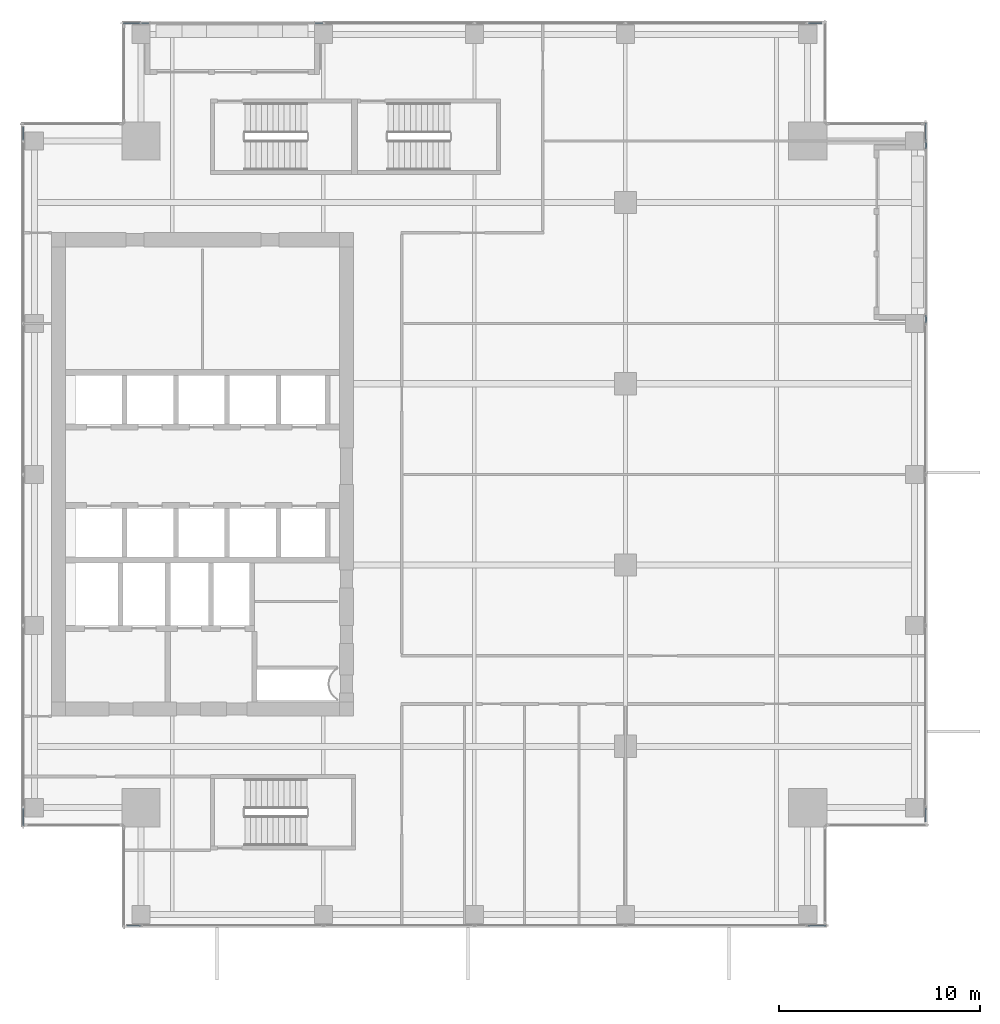
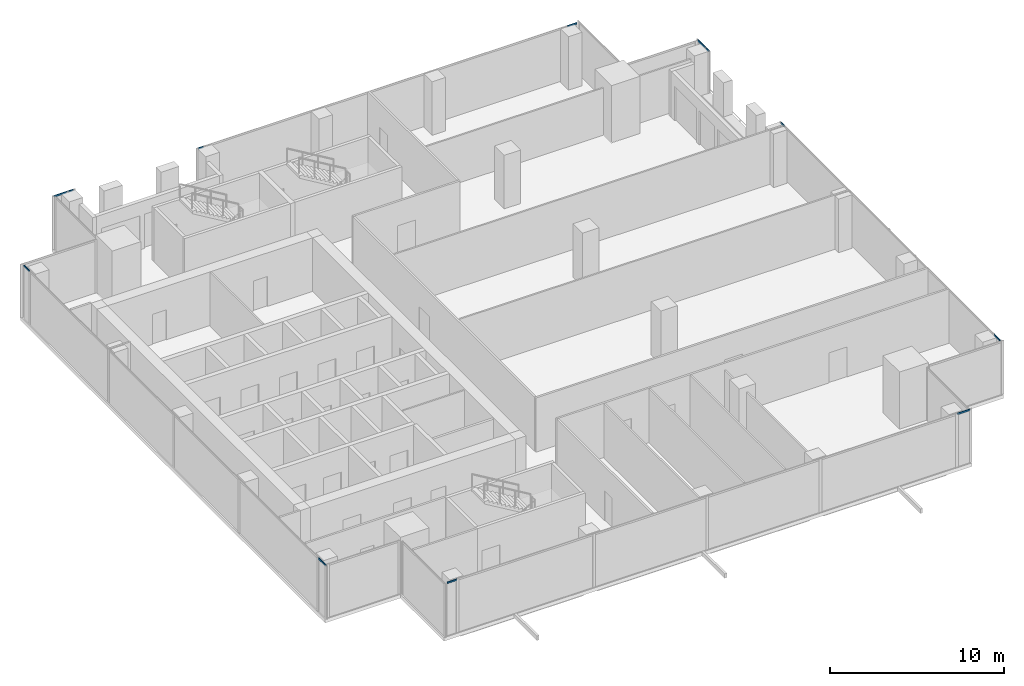
# One storey, part 23 of 34: 12 members, 6 elements without a shape of their own.
"""IFC4 building model written with IfcOpenShell, lengths in metres."""

from ifc_helpers import new_model, si_unit, direction, frame, origin, origin_2d, place, context, subcontext, project, spatial, hollow_rectangle, extrude, source, transform, mapped, material, material_profile, profile_set, type_object, element, aggregate, save


model = new_model("IFC4")

# Units and contexts
model_context = context("Model", 3, precision=1e-05, world=origin(), true_north=direction((0.0, 1.0)))
body_context = subcontext(model_context, "Body", "Model", "MODEL_VIEW")
ifc_project = project(units=[si_unit("LENGTHUNIT", "METRE"), si_unit("AREAUNIT", "SQUARE_METRE"), si_unit("VOLUMEUNIT", "CUBIC_METRE"), si_unit("PLANEANGLEUNIT", "RADIAN"), si_unit("MASSUNIT", "GRAM", prefix="KILO")], contexts=[model_context])

# Site, building, storey
site_placement = place(None, origin())
site = spatial("IfcSite", under=ifc_project, at=site_placement, CompositionType="ELEMENT")
building_placement = place(site_placement, origin())
building = spatial("IfcBuilding", under=site, at=building_placement, Name="Khomas Fold Tower", CompositionType="ELEMENT")
storey_placement = place(building_placement, frame((0.0, 0.0, 254.199951171875)))
storey = spatial("IfcBuildingStorey", under=building, at=storey_placement, Name="L57", CompositionType="ELEMENT", Elevation=254.199951171875)

# Curtain wall, member
ifc_material_1 = material(Name="Aluminium framed double glazing", Category="aluminium")
curtain_wall_type = type_object("IfcCurtainWallType", Name="SK-Unitised clear-glass wall, office floors CW2", PredefinedType="NOTDEFINED", material=ifc_material_1)
curtain_wall_1_placement = place(storey_placement, origin())
curtain_wall_1 = element("IfcCurtainWall", 1, at=curtain_wall_1_placement, inside=storey, type_object=curtain_wall_type, Name="CW2 run L57 00-0", PredefinedType="NOTDEFINED")
ifc_material_2 = material(Name="Aluminium", Category="aluminium")
ifc_material_profile = material_profile(ifc_material_2, hollow_rectangle(XDim=0.050048828125, YDim=0.110107421875, WallThickness=0.00390625, at=origin_2d()), Name="SK-Unitised clear-glass wall, office floors transom CW2-T")
ifc_profile_set = profile_set([ifc_material_profile], Name="Aluminium")
member_type = type_object("IfcMemberType", Name="SK-Unitised clear-glass wall, office floors transom CW2-T", PredefinedType="USERDEFINED", material=ifc_profile_set)
shared_shape_1 = source(origin(), body_context, "Body", "SweptSolid", [
    extrude(hollow_rectangle(XDim=0.050048828125, YDim=0.110107421875, WallThickness=0.00390625, at=origin_2d()), origin(), (0.0, 0.0, 1.0), 0.659912109375),
])
member_1_placement = place(storey_placement, frame((9.760009765625, 4.60009765625, 3.695068359375), z_axis=(1.0, 0.0, 0.0), x_axis=(0.0, 1.0, 0.0)))
member_1 = element("IfcMember", 2, at=member_1_placement, type_object=member_type, Name="CW2 transom 1", ObjectType="TRANSOM", PredefinedType="USERDEFINED", context=body_context, shape_type="MappedRepresentation", body=[
    mapped(shared_shape_1, transform((0.0, 0.0, 0.0))),
])

curtain_wall_2_placement = place(storey_placement, origin())
curtain_wall_2 = element("IfcCurtainWall", 3, at=curtain_wall_2_placement, inside=storey, type_object=curtain_wall_type, Name="CW2 run L57 03-0", PredefinedType="NOTDEFINED")
member_2_placement = place(storey_placement, frame((49.39990234375, 9.760009765625, 3.695068359375), z_axis=(0.0, 1.0, 0.0), x_axis=(-1.0, 0.0, 0.0)))
member_2 = element("IfcMember", 4, at=member_2_placement, type_object=member_type, Name="CW2 transom 1", ObjectType="TRANSOM", PredefinedType="USERDEFINED", context=body_context, shape_type="MappedRepresentation", body=[
    mapped(shared_shape_1, transform((0.0, 0.0, 0.0))),
])

curtain_wall_3_placement = place(storey_placement, origin())
curtain_wall_3 = element("IfcCurtainWall", 5, at=curtain_wall_3_placement, inside=storey, type_object=curtain_wall_type, Name="CW2 run L57 06-0", PredefinedType="NOTDEFINED")
member_3_placement = place(storey_placement, frame((44.239990234375, 49.39990234375, 3.695068359375), z_axis=(-1.0, 0.0, 0.0), x_axis=(0.0, -1.0, 0.0)))
member_3 = element("IfcMember", 6, at=member_3_placement, type_object=member_type, Name="CW2 transom 1", ObjectType="TRANSOM", PredefinedType="USERDEFINED", context=body_context, shape_type="MappedRepresentation", body=[
    mapped(shared_shape_1, transform((0.0, 0.0, 0.0))),
])

curtain_wall_4_placement = place(storey_placement, origin())
curtain_wall_4 = element("IfcCurtainWall", 7, at=curtain_wall_4_placement, inside=storey, type_object=curtain_wall_type, Name="CW2 run L57 09-0", PredefinedType="NOTDEFINED")
member_4_placement = place(storey_placement, frame((4.60009765625, 44.239990234375, 3.695068359375), z_axis=(0.0, -1.0, 0.0), x_axis=(1.0, 0.0, 0.0)))
member_4 = element("IfcMember", 8, at=member_4_placement, type_object=member_type, Name="CW2 transom 1", ObjectType="TRANSOM", PredefinedType="USERDEFINED", context=body_context, shape_type="MappedRepresentation", body=[
    mapped(shared_shape_1, transform((0.0, 0.0, 0.0))),
])

# Member
shared_shape_2 = source(origin(), body_context, "Body", "SweptSolid", [
    extrude(hollow_rectangle(XDim=0.050048828125, YDim=0.110107421875, WallThickness=0.00390625, at=origin_2d()), origin(), (0.0, 0.0, 1.0), 0.85986328125),
])
member_5_placement = place(storey_placement, frame((43.580078125, 4.60009765625, 3.695068359375), z_axis=(1.0, 0.0, 0.0), x_axis=(0.0, 1.0, 0.0)))
member_5 = element("IfcMember", 9, at=member_5_placement, type_object=member_type, Name="CW2 transom 6", ObjectType="TRANSOM", PredefinedType="USERDEFINED", context=body_context, shape_type="MappedRepresentation", body=[
    mapped(shared_shape_2, transform((0.0, 0.0, 0.0))),
])

aggregate(curtain_wall_1, [member_1, member_5])

# Curtain wall, member
curtain_wall_5_placement = place(storey_placement, origin())
curtain_wall_5 = element("IfcCurtainWall", 10, at=curtain_wall_5_placement, inside=storey, type_object=curtain_wall_type, Name="CW2 run L57 03-1", PredefinedType="NOTDEFINED")
member_6_placement = place(storey_placement, frame((49.39990234375, 43.580078125, 3.695068359375), z_axis=(0.0, 1.0, 0.0), x_axis=(-1.0, 0.0, 0.0)))
member_6 = element("IfcMember", 11, at=member_6_placement, type_object=member_type, Name="CW2 transom 2", ObjectType="TRANSOM", PredefinedType="USERDEFINED", context=body_context, shape_type="MappedRepresentation", body=[
    mapped(shared_shape_2, transform((0.0, 0.0, 0.0))),
])

curtain_wall_6_placement = place(storey_placement, origin())
curtain_wall_6 = element("IfcCurtainWall", 12, at=curtain_wall_6_placement, inside=storey, type_object=curtain_wall_type, Name="CW2 run L57 06-1", PredefinedType="NOTDEFINED")
member_7_placement = place(storey_placement, frame((10.419921875, 49.39990234375, 3.695068359375), z_axis=(-1.0, 0.0, 0.0), x_axis=(0.0, -1.0, 0.0)))
member_7 = element("IfcMember", 13, at=member_7_placement, type_object=member_type, Name="CW2 transom 2", ObjectType="TRANSOM", PredefinedType="USERDEFINED", context=body_context, shape_type="MappedRepresentation", body=[
    mapped(shared_shape_2, transform((0.0, 0.0, 0.0))),
])

# Member
member_8_placement = place(storey_placement, frame((4.60009765625, 10.419921875, 3.695068359375), z_axis=(0.0, -1.0, 0.0), x_axis=(1.0, 0.0, 0.0)))
member_8 = element("IfcMember", 14, at=member_8_placement, type_object=member_type, Name="CW2 transom 6", ObjectType="TRANSOM", PredefinedType="USERDEFINED", context=body_context, shape_type="MappedRepresentation", body=[
    mapped(shared_shape_2, transform((0.0, 0.0, 0.0))),
])

aggregate(curtain_wall_4, [member_4, member_8])

shared_shape_3 = source(origin(), body_context, "Body", "SweptSolid", [
    extrude(hollow_rectangle(XDim=0.050048828125, YDim=0.110107421875, WallThickness=0.00390625, at=origin_2d()), origin(), (0.0, 0.0, 1.0), 0.35986328125),
])
member_9_placement = place(storey_placement, frame((49.39990234375, 34.530029296875, 3.695068359375), z_axis=(0.0, 1.0, 0.0), x_axis=(-1.0, 0.0, 0.0)))
member_9 = element("IfcMember", 15, at=member_9_placement, type_object=member_type, Name="CW2 transom 5", ObjectType="TRANSOM", PredefinedType="USERDEFINED", context=body_context, shape_type="MappedRepresentation", body=[
    mapped(shared_shape_3, transform((0.0, 0.0, 0.0))),
])

aggregate(curtain_wall_2, [member_2, member_9])

member_10_placement = place(storey_placement, frame((19.469970703125, 49.39990234375, 3.695068359375), z_axis=(-1.0, 0.0, 0.0), x_axis=(0.0, -1.0, 0.0)))
member_10 = element("IfcMember", 16, at=member_10_placement, type_object=member_type, Name="CW2 transom 5", ObjectType="TRANSOM", PredefinedType="USERDEFINED", context=body_context, shape_type="MappedRepresentation", body=[
    mapped(shared_shape_3, transform((0.0, 0.0, 0.0))),
])

aggregate(curtain_wall_3, [member_3, member_10])

shared_shape_4 = source(origin(), body_context, "Body", "SweptSolid", [
    extrude(hollow_rectangle(XDim=0.050048828125, YDim=0.110107421875, WallThickness=0.00390625, at=origin_2d()), origin(), (0.0, 0.0, 1.0), 0.360107421875),
])
member_11_placement = place(storey_placement, frame((49.39990234375, 43.159912109375, 3.695068359375), z_axis=(0.0, 1.0, 0.0), x_axis=(-1.0, 0.0, 0.0)))
member_11 = element("IfcMember", 17, at=member_11_placement, type_object=member_type, Name="CW2 transom 1", ObjectType="TRANSOM", PredefinedType="USERDEFINED", context=body_context, shape_type="MappedRepresentation", body=[
    mapped(shared_shape_4, transform((0.0, 0.0, 0.0))),
])

aggregate(curtain_wall_5, [member_11, member_6])

member_12_placement = place(storey_placement, frame((10.840087890625, 49.39990234375, 3.695068359375), z_axis=(-1.0, 0.0, 0.0), x_axis=(0.0, -1.0, 0.0)))
member_12 = element("IfcMember", 18, at=member_12_placement, type_object=member_type, Name="CW2 transom 1", ObjectType="TRANSOM", PredefinedType="USERDEFINED", context=body_context, shape_type="MappedRepresentation", body=[
    mapped(shared_shape_4, transform((0.0, 0.0, 0.0))),
])

aggregate(curtain_wall_6, [member_12, member_7])

save(model, "model.ifc")
